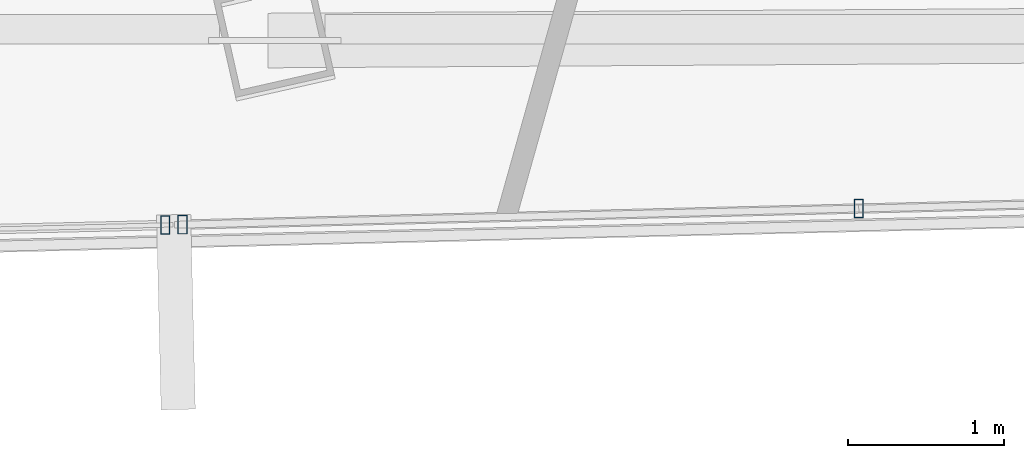
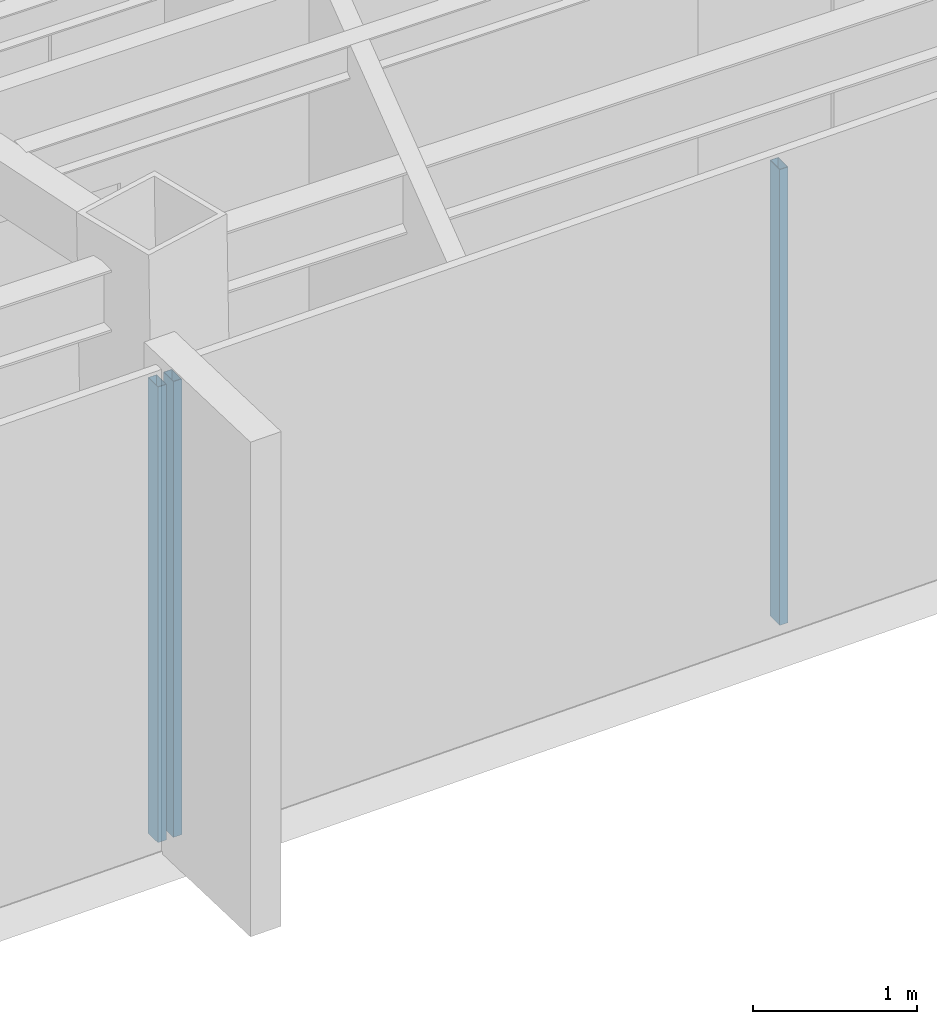
# One storey, part 11 of 44: 3 members, 2 elements without a shape of their own.
"""IFC4 building model written with IfcOpenShell, lengths in metres."""

from ifc_helpers import new_model, si_unit, direction, frame, origin, origin_2d, place, context, subcontext, project, spatial, hollow_rectangle, extrude, source, transform, mapped, material, material_profile, profile_set, type_object, type_shapes, element, aggregate, save


model = new_model("IFC4")

# Units and contexts
model_context = context("Model", 3, precision=1e-05, world=origin(), true_north=direction((0.0, 1.0)))
body_context = subcontext(model_context, "Body", "Model", "MODEL_VIEW")
ifc_project = project(units=[si_unit("LENGTHUNIT", "METRE"), si_unit("AREAUNIT", "SQUARE_METRE"), si_unit("VOLUMEUNIT", "CUBIC_METRE"), si_unit("PLANEANGLEUNIT", "RADIAN"), si_unit("MASSUNIT", "GRAM", prefix="KILO")], contexts=[model_context])

# Site, building, storey
site_placement = place(None, origin())
site = spatial("IfcSite", under=ifc_project, at=site_placement, CompositionType="ELEMENT")
building_placement = place(site_placement, origin())
building = spatial("IfcBuilding", under=site, at=building_placement, Name="Caelisora Broadcast Tower", CompositionType="ELEMENT")
storey_placement = place(building_placement, frame((0.0, 0.0, 259.050048828125)))
storey = spatial("IfcBuildingStorey", under=building, at=storey_placement, Name="L68", CompositionType="ELEMENT", Elevation=259.050048828125)

# Curtain wall, members
ifc_material_1 = material(Name="Unitised Aluminium Insulated Shadow-Box Spandrel Curtain Wall", Category="aluminium")
curtain_wall_type_1 = type_object("IfcCurtainWallType", Name="CW-SP3", PredefinedType="NOTDEFINED", material=ifc_material_1)
curtain_wall_1_placement = place(storey_placement, origin())
curtain_wall_1 = element("IfcCurtainWall", 1, at=curtain_wall_1_placement, inside=storey, type_object=curtain_wall_type_1, Name="L68 curtain wall CW-SP3", PredefinedType="NOTDEFINED")
ifc_material_2 = material(Name="Aluminium 6063-T6 Anodised Terracotta Bronze", Category="aluminium")
ifc_material_profile = material_profile(ifc_material_2, hollow_rectangle(XDim=0.06005859375, YDim=0.1201171875, WallThickness=0.0029296875, at=origin_2d()), Name="Aluminium 6063-T6 Anodised Terracotta Bronze")
ifc_profile_set = profile_set([ifc_material_profile], Name="Aluminium 6063-T6 Anodised Terracotta Bronze")
member_type = type_object("IfcMemberType", Name="CWM-04", PredefinedType="MULLION", material=ifc_profile_set)
shared_shape = source(origin(), body_context, "Body", "SweptSolid", [
    extrude(hollow_rectangle(XDim=0.06005859375, YDim=0.1201171875, WallThickness=0.0029296875, at=origin_2d()), origin(), (0.0, 0.0, 1.0), 3.39990234375),
])
type_shapes(member_type, [shared_shape])
member_1_placement = place(storey_placement, frame((35.830078125, 8.306396484375, 0.0), z_axis=(0.0, 0.0, 1.0), x_axis=(1.0, 0.0, 0.0)))
member_1 = element("IfcMember", 2, at=member_1_placement, type_object=member_type, Name="L68-CW-B06 mullion #2", PredefinedType="MULLION", context=body_context, shape_type="MappedRepresentation", body=[
    mapped(shared_shape, transform((0.0, 0.0, 0.0), scale=1.0)),
])
member_2_placement = place(storey_placement, frame((31.491455078125, 8.20361328125, 0.0), z_axis=(0.0, 0.0, 1.0), x_axis=(1.0, 0.0, 0.0)))
member_2 = element("IfcMember", 3, at=member_2_placement, type_object=member_type, Name="L68-CW-B06 mullion #3", PredefinedType="MULLION", context=body_context, shape_type="MappedRepresentation", body=[
    mapped(shared_shape, transform((0.0, 0.0, 0.0), scale=1.0)),
])
aggregate(curtain_wall_1, [member_1, member_2])

# Curtain wall, member
ifc_material_3 = material(Name="Unitised Aluminium and Low-E Glass Curtain Wall", Category="glass")
curtain_wall_type_2 = type_object("IfcCurtainWallType", Name="CW-Z5", PredefinedType="NOTDEFINED", material=ifc_material_3)
curtain_wall_2_placement = place(storey_placement, origin())
curtain_wall_2 = element("IfcCurtainWall", 4, at=curtain_wall_2_placement, inside=storey, type_object=curtain_wall_type_2, Name="L68 curtain wall CW-Z5", PredefinedType="NOTDEFINED")
member_3_placement = place(storey_placement, frame((31.38134765625, 8.200927734375, 0.0), z_axis=(0.0, 0.0, 1.0), x_axis=(1.0, 0.0, 0.0)))
member_3 = element("IfcMember", 5, at=member_3_placement, type_object=member_type, Name="L68-CW-B07 mullion #0", PredefinedType="MULLION", context=body_context, shape_type="MappedRepresentation", body=[
    mapped(shared_shape, transform((0.0, 0.0, 0.0), scale=1.0)),
])
aggregate(curtain_wall_2, [member_3])

save(model, "model.ifc")
